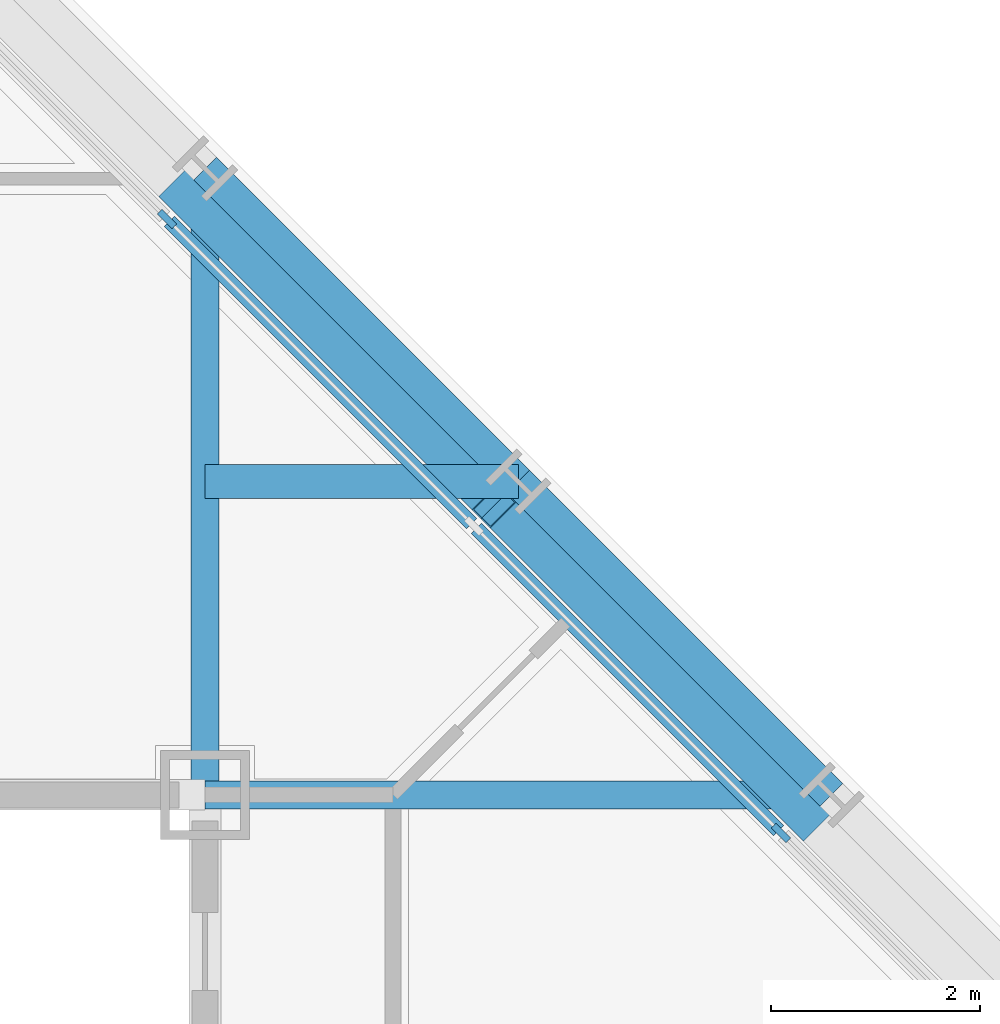
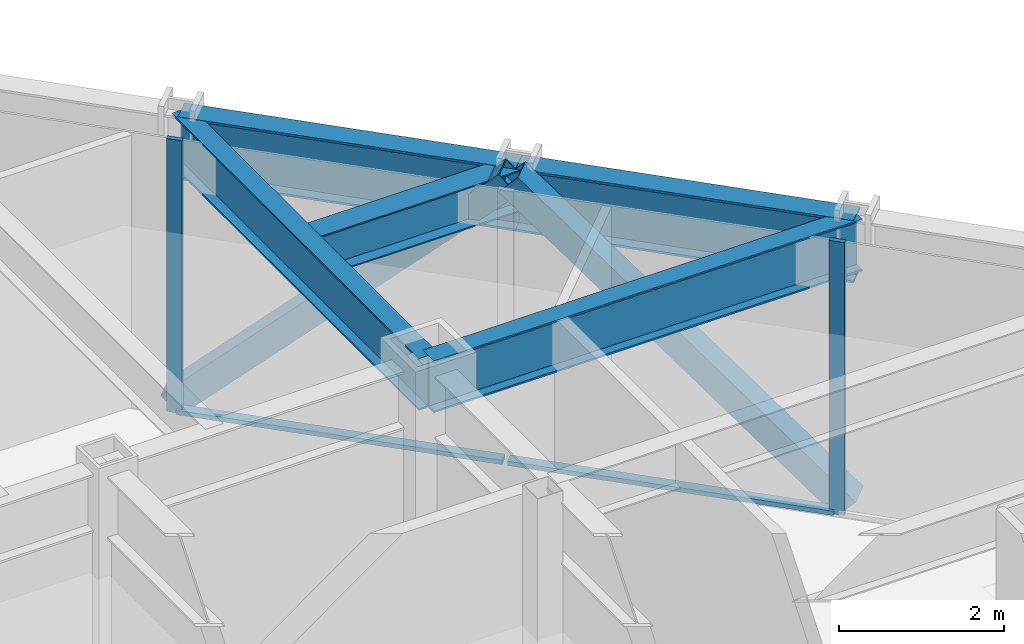
# One storey, part 9 of 16: 6 members, 5 beams, 1 element without a shape of its own.
"""IFC4 building model written with IfcOpenShell, lengths in metres."""

from ifc_helpers import new_model, si_unit, direction, frame, origin, origin_2d, place, context, subcontext, project, spatial, rectangle, hollow_rectangle, i_section, extrude, material, layer, layer_set, material_profile, profile_set, type_object, element, aggregate, save


model = new_model("IFC4")

# Units and contexts
model_context = context("Model", 3, precision=1e-05, world=origin(), true_north=direction((0.0, 1.0)))
body_context = subcontext(model_context, "Body", "Model", "MODEL_VIEW")
ifc_project = project(units=[si_unit("LENGTHUNIT", "METRE"), si_unit("AREAUNIT", "SQUARE_METRE"), si_unit("VOLUMEUNIT", "CUBIC_METRE"), si_unit("PLANEANGLEUNIT", "RADIAN"), si_unit("MASSUNIT", "GRAM", prefix="KILO")], contexts=[model_context])

# Site, building, storey
site_placement = place(None, origin())
site = spatial("IfcSite", under=ifc_project, at=site_placement, CompositionType="ELEMENT")
building_placement = place(site_placement, origin())
building = spatial("IfcBuilding", under=site, at=building_placement, Name="Chuquiago Exchange Tower", CompositionType="ELEMENT")
storey_placement = place(building_placement, frame((0.0, 0.0, 230.699951171875)))
storey = spatial("IfcBuildingStorey", under=building, at=storey_placement, Name="L51", CompositionType="ELEMENT", Elevation=230.699951171875)

# Beam
ifc_material_1 = material(Name="Steel ASTM A992", Category="steel")
ifc_material_profile_1 = material_profile(ifc_material_1, i_section(OverallWidth=0.3251953125, OverallDepth=0.612060546875, WebThickness=0.0126953125, FlangeThickness=0.01904296875, at=origin_2d()), Name="W24X104")
ifc_profile_set_1 = profile_set([ifc_material_profile_1], Name="Steel ASTM A992")
beam_type_1 = type_object("IfcBeamType", Name="B2 W24X104", PredefinedType="BEAM", material=ifc_profile_set_1)
beam_placement = place(storey_placement, frame((33.0, 36.0, 3.73388671875), z_axis=(1.0, 0.0, 0.0), x_axis=(0.0, 1.0, 0.0)))
element("IfcBeam", 1, at=beam_placement, inside=storey, type_object=beam_type_1, Name="FB-L52-corner-33_36-36_36-0", PredefinedType="BEAM", context=body_context, shape_type="SweptSolid", body=[
    extrude(i_section(OverallWidth=0.3251953125, OverallDepth=0.612060546875, WebThickness=0.0126953125, FlangeThickness=0.01904296875, at=origin_2d()), origin(), (0.0, 0.0, 1.0), 3.0),
])

# Curtain wall, members
ifc_material_2 = material(Name="Aluminium curtain wall system", Category="aluminium")
ifc_layer = layer(ifc_material_2, 0.199951171875)
ifc_layer_set = layer_set([ifc_layer], Name="CW3 facet curtain wall")
curtain_wall_type = type_object("IfcCurtainWallType", Name="CW3 facet curtain wall", PredefinedType="NOTDEFINED", material=ifc_layer_set)
curtain_wall_placement = place(storey_placement, origin())
curtain_wall = element("IfcCurtainWall", 2, at=curtain_wall_placement, inside=storey, type_object=curtain_wall_type, Name="CW3 curtain wall L51", PredefinedType="NOTDEFINED")
ifc_material_3 = material(Name="Aluminium mullion, pale anodised", Category="aluminium")
ifc_material_profile_2 = material_profile(ifc_material_3, rectangle(XDim=0.06494140625, YDim=0.199951171875, at=origin_2d()), Name="AL 65x200")
ifc_profile_set_2 = profile_set([ifc_material_profile_2], Name="Aluminium mullion, pale anodised")
member_type_1 = type_object("IfcMemberType", Name="CW3-M mullion 65x200", PredefinedType="MULLION", material=ifc_profile_set_2)
member_1_placement = place(storey_placement, frame((38.51708984375, 32.63427734375, 0.0), z_axis=(0.0, 0.0, 1.0), x_axis=(-0.707106781187, -0.707106781187, 0.0)))
member_1 = element("IfcMember", 3, at=member_1_placement, type_object=member_type_1, Name="CW3 mullion 3", PredefinedType="MULLION", context=body_context, shape_type="SweptSolid", body=[
    extrude(rectangle(XDim=0.06494140625, YDim=0.199951171875, at=origin_2d()), origin(), (0.0, 0.0, 1.0), 4.0400390625),
])
member_2_placement = place(storey_placement, frame((32.63427734375, 38.51708984375, 0.0), z_axis=(0.0, 0.0, 1.0), x_axis=(-0.707106781187, -0.707106781187, 0.0)))
member_2 = element("IfcMember", 4, at=member_2_placement, type_object=member_type_1, Name="CW3 mullion 5", PredefinedType="MULLION", context=body_context, shape_type="SweptSolid", body=[
    extrude(rectangle(XDim=0.06494140625, YDim=0.199951171875, at=origin_2d()), origin(), (0.0, 0.0, 1.0), 4.0400390625),
])
ifc_material_4 = material(Name="Aluminium transom, pale anodised", Category="aluminium")
ifc_material_profile_3 = material_profile(ifc_material_4, rectangle(XDim=0.139892578125, YDim=0.06494140625, at=origin_2d()), Name="AL 140x65")
ifc_profile_set_3 = profile_set([ifc_material_profile_3], Name="Aluminium transom, pale anodised")
member_type_2 = type_object("IfcMemberType", Name="CW3-T transom 65x140", PredefinedType="MULLION", material=ifc_profile_set_3)
member_3_placement = place(storey_placement, frame((38.494140625, 32.6572265625, 0.032470703125), z_axis=(-0.707106781187, 0.707106781187, 0.0), x_axis=(-0.707106781187, -0.707106781187, 0.0)))
member_3 = element("IfcMember", 5, at=member_3_placement, type_object=member_type_2, Name="CW3 transom 3.1", PredefinedType="MULLION", context=body_context, shape_type="SweptSolid", body=[
    extrude(rectangle(XDim=0.139892578125, YDim=0.06494140625, at=origin_2d()), origin(), (0.0, 0.0, 1.0), 4.094970703125),
])
member_4_placement = place(storey_placement, frame((35.552734375, 35.5986328125, 0.032470703125), z_axis=(-0.707106781187, 0.707106781187, 0.0), x_axis=(-0.707106781187, -0.707106781187, 0.0)))
member_4 = element("IfcMember", 6, at=member_4_placement, type_object=member_type_2, Name="CW3 transom 4.1", PredefinedType="MULLION", context=body_context, shape_type="SweptSolid", body=[
    extrude(rectangle(XDim=0.139892578125, YDim=0.06494140625, at=origin_2d()), origin(), (0.0, 0.0, 1.0), 4.094970703125),
])
aggregate(curtain_wall, [member_1, member_2, member_3, member_4])

# Beams
ifc_material_5 = material(Name="Steel ASTM A992", Category="steel")
ifc_material_profile_4 = material_profile(ifc_material_5, i_section(OverallWidth=0.2666015625, OverallDepth=0.76953125, WebThickness=0.015625, FlangeThickness=0.025390625, at=origin_2d()), Name="W30X132")
ifc_profile_set_4 = profile_set([ifc_material_profile_4], Name="Steel ASTM A992")
beam_type_2 = type_object("IfcBeamType", Name="G1 W30X132", PredefinedType="BEAM", material=ifc_profile_set_4)
for number, where, z_axis, x_axis, name in (
    (7, (33.0, 33.0, 3.6552734375), (0.0, 1.0, 0.0), (-1.0, 0.0, 0.0), "FB-L52-girder-33_33-33_39-0"),
    (8, (33.0, 33.0, 3.6552734375), (1.0, 0.0, 0.0), (0.0, 1.0, 0.0), "FB-L52-girder-33_33-39_33-0"),
):
    element("IfcBeam", number, at=place(storey_placement, frame(where, z_axis=z_axis, x_axis=x_axis)), inside=storey, type_object=beam_type_2, Name=name, PredefinedType="BEAM", context=body_context, shape_type="SweptSolid", body=[
        extrude(i_section(OverallWidth=0.2666015625, OverallDepth=0.76953125, WebThickness=0.015625, FlangeThickness=0.025390625, at=origin_2d()), origin(), (0.0, 0.0, 1.0), 6.0),
    ])

# Members
ifc_material_6 = material(Name="Steel ASTM A500 Grade C", Category="steel")
ifc_material_profile_5 = material_profile(ifc_material_6, hollow_rectangle(XDim=0.355712890625, YDim=0.355712890625, WallThickness=0.0146484375, at=origin_2d()), Name="HSS14X14X5/8")
ifc_profile_set_5 = profile_set([ifc_material_profile_5], Name="Steel ASTM A500 Grade C")
member_type_3 = type_object("IfcMemberType", Name="LB2 HSS14X14X5/8", PredefinedType="BRACE", material=ifc_profile_set_5)
for number, where, z_axis, x_axis, name in (
    (9, (38.7685546875, 32.7685546875, 0.0), (-0.512077265487, 0.512077265487, 0.689604051861), (-0.707106781187, -0.707106781187, 0.0), "LB-L51-39_33-36_36"),
    (10, (32.7685546875, 38.7685546875, 0.0), (0.512077265487, -0.512077265487, 0.689604051861), (0.707106781187, 0.707106781187, 0.0), "LB-L51-36_36-33_39"),
):
    element("IfcMember", number, at=place(storey_placement, frame(where, z_axis=z_axis, x_axis=x_axis)), inside=storey, type_object=member_type_3, Name=name, PredefinedType="BRACE", context=body_context, shape_type="SweptSolid", body=[
        extrude(hollow_rectangle(XDim=0.355712890625, YDim=0.355712890625, WallThickness=0.0146484375, at=origin_2d()), origin(), (0.0, 0.0, 1.0), 5.8583984375),
    ])

# Beams
ifc_material_7 = material(Name="Steel ASTM A992", Category="steel")
ifc_material_profile_6 = material_profile(ifc_material_7, i_section(OverallWidth=0.307373046875, OverallDepth=0.927001953125, WebThickness=0.01953125, FlangeThickness=0.031982421875, at=origin_2d()), Name="W36X194")
ifc_profile_set_6 = profile_set([ifc_material_profile_6], Name="Steel ASTM A992")
beam_type_3 = type_object("IfcBeamType", Name="SP3 W36X194", PredefinedType="SPANDREL", material=ifc_profile_set_6)
for number, where, z_axis, x_axis, name in (
    (11, (39.0, 33.0, 3.57666015625), (-0.707106781187, 0.707106781187, 0.0), (-0.707106781187, -0.707106781187, 0.0), "SPB-L52-39_33-36_36"),
    (12, (36.0, 36.0, 3.57666015625), (-0.707106781187, 0.707106781187, 0.0), (-0.707106781187, -0.707106781187, 0.0), "SPB-L52-36_36-33_39"),
):
    element("IfcBeam", number, at=place(storey_placement, frame(where, z_axis=z_axis, x_axis=x_axis)), inside=storey, type_object=beam_type_3, Name=name, PredefinedType="SPANDREL", context=body_context, shape_type="SweptSolid", body=[
        extrude(i_section(OverallWidth=0.307373046875, OverallDepth=0.927001953125, WebThickness=0.01953125, FlangeThickness=0.031982421875, at=origin_2d()), origin(), (0.0, 0.0, 1.0), 4.24267578125),
    ])

save(model, "model.ifc")
